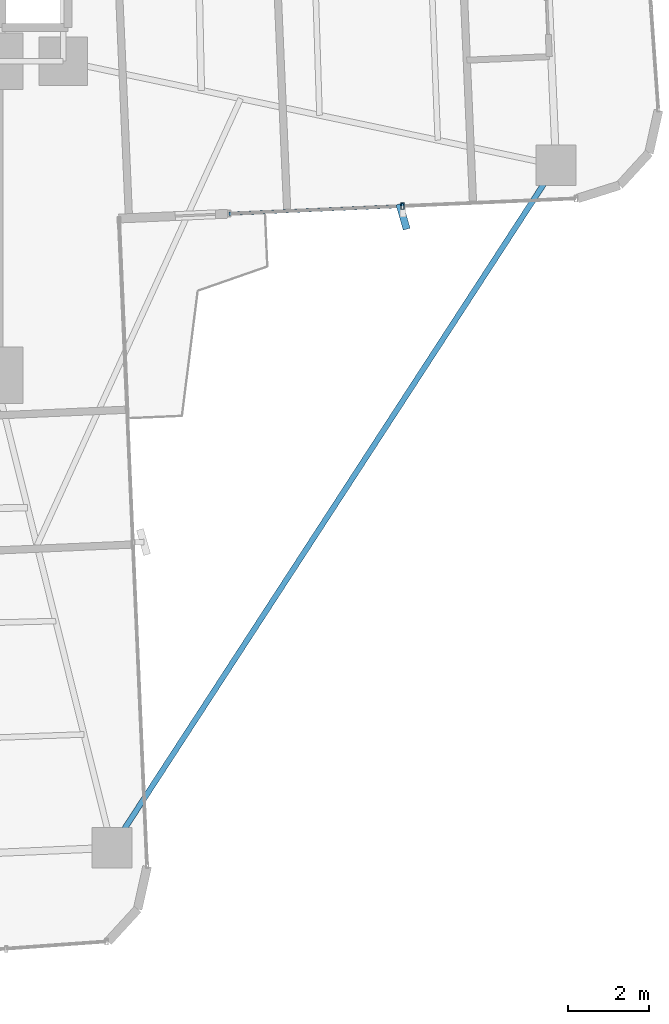
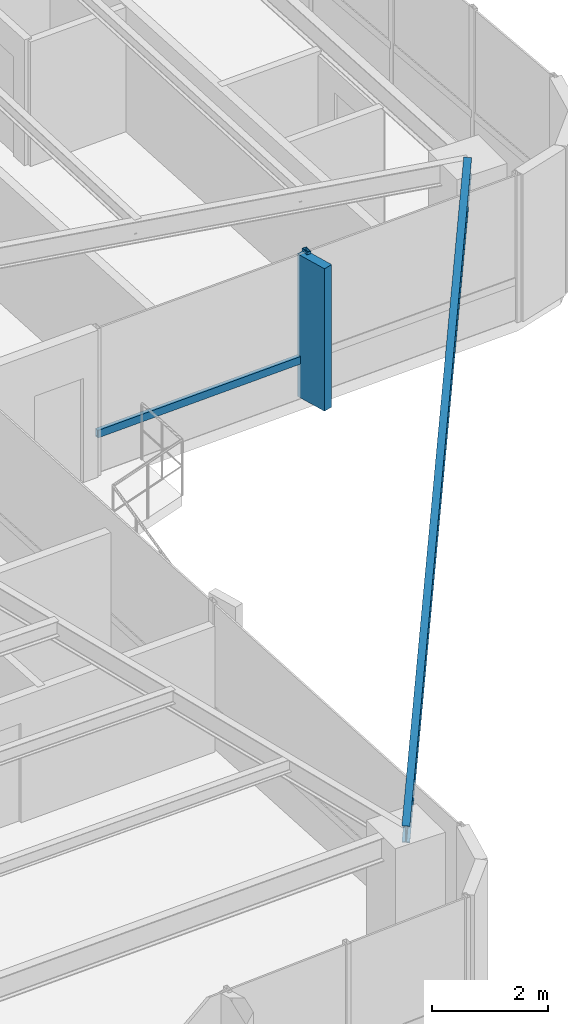
# One storey, part 14 of 26: 3 members, 1 beam, 1 element without a shape of its own.
"""IFC4 building model written with IfcOpenShell, lengths in metres."""

from ifc_helpers import new_model, si_unit, direction, frame, origin, origin_2d, place, context, subcontext, project, spatial, rectangle, hollow_rectangle, i_section, extrude, source, transform, mapped, material, material_profile, profile_set, type_object, element, aggregate, save


model = new_model("IFC4")

# Units and contexts
model_context = context("Model", 3, precision=1e-05, world=origin(), true_north=direction((0.0, 1.0)))
body_context = subcontext(model_context, "Body", "Model", "MODEL_VIEW")
ifc_project = project(units=[si_unit("LENGTHUNIT", "METRE"), si_unit("AREAUNIT", "SQUARE_METRE"), si_unit("VOLUMEUNIT", "CUBIC_METRE"), si_unit("PLANEANGLEUNIT", "RADIAN"), si_unit("MASSUNIT", "GRAM", prefix="KILO")], contexts=[model_context])

# Site, building, storey
site_placement = place(None, origin())
site = spatial("IfcSite", under=ifc_project, at=site_placement, CompositionType="ELEMENT")
building_placement = place(site_placement, origin())
building = spatial("IfcBuilding", under=site, at=building_placement, Name="Sahyath Konkavel Grand Hotel", CompositionType="ELEMENT")
storey_placement = place(building_placement, frame((0.0, 0.0, 93.550048828125)))
storey = spatial("IfcBuildingStorey", under=building, at=storey_placement, Name="L25", CompositionType="ELEMENT", Elevation=93.550048828125)

# Beam
ifc_material_1 = material(Name="Steel E350", Category="steel")
ifc_material_profile_1 = material_profile(ifc_material_1, i_section(OverallWidth=0.139892578125, OverallDepth=0.35009765625, WebThickness=0.008056640625, FlangeThickness=0.01416015625, FilletRadius=0.013916015625, at=origin_2d()), Name="ISMB 350")
ifc_profile_set_1 = profile_set([ifc_material_profile_1], Name="Steel E350")
beam_type = type_object("IfcBeamType", Name="BM-ISMB350", PredefinedType="BEAM", material=ifc_profile_set_1)
shared_shape_1 = source(origin(), body_context, "Body", "SweptSolid", [
    extrude(i_section(OverallWidth=0.139892578125, OverallDepth=0.35009765625, WebThickness=0.008056640625, FlangeThickness=0.01416015625, FilletRadius=0.013916015625, at=origin_2d()), origin(), (0.0, 0.0, 1.0), 20.21533203125),
])
beam_placement = place(storey_placement, frame((17.734130859375, -4.981201171875, 2.93505859375), z_axis=(-0.545191244931, -0.838311700056, 0.0), x_axis=(0.838311700056, -0.545191244931, 0.0)))
element("IfcBeam", 1, at=beam_placement, inside=storey, type_object=beam_type, Name="L25 Re-Entrant Tie Beam SE", PredefinedType="BEAM", context=body_context, shape_type="MappedRepresentation", body=[
    mapped(shared_shape_1, transform((0.0, 0.0, 0.0), scale=1.0)),
])

# Curtain wall, members
ifc_material_2 = material(Name="Anodised Bronze Aluminium & Low-E Glazing", Category="aluminium")
curtain_wall_type = type_object("IfcCurtainWallType", Name="CW-ZONE2", PredefinedType="NOTDEFINED", material=ifc_material_2)
curtain_wall_placement = place(storey_placement, origin())
curtain_wall = element("IfcCurtainWall", 2, at=curtain_wall_placement, inside=storey, type_object=curtain_wall_type, Name="L25 Unitised Curtain Wall F0", PredefinedType="NOTDEFINED")
ifc_material_3 = material(Name="Anodised Bronze Aluminium", Category="aluminium")
ifc_material_profile_2 = material_profile(ifc_material_3, hollow_rectangle(XDim=0.080078125, YDim=0.159912109375, WallThickness=0.006103515625, at=origin_2d()), Name="RHS 160x80x6")
ifc_profile_set_2 = profile_set([ifc_material_profile_2], Name="Anodised Bronze Aluminium")
member_type_1 = type_object("IfcMemberType", Name="CW-MUL-160", PredefinedType="MULLION", material=ifc_profile_set_2)
shared_shape_2 = source(origin(), body_context, "Body", "SweptSolid", [
    extrude(hollow_rectangle(XDim=0.080078125, YDim=0.159912109375, WallThickness=0.006103515625, at=origin_2d()), origin(), (0.0, 0.0, 1.0), 3.10986328125),
])
member_1_placement = place(storey_placement, frame((13.9248046875, -5.998291015625, 0.0), z_axis=(0.0, 0.0, 1.0), x_axis=(1.0, 0.0, 0.0)))
member_1 = element("IfcMember", 3, at=member_1_placement, type_object=member_type_1, Name="L25 Curtain Wall Mullion F0-1", PredefinedType="MULLION", context=body_context, shape_type="MappedRepresentation", body=[
    mapped(shared_shape_2, transform((0.0, 0.0, 0.0), scale=1.0)),
])
ifc_material_4 = material(Name="Warm Buff Sandstone Cladding on Concrete C50/60", Category="masonry")
ifc_material_profile_3 = material_profile(ifc_material_4, rectangle(XDim=0.179931640625, YDim=0.64990234375, at=origin_2d()), Name="FIN 180x650")
ifc_profile_set_3 = profile_set([ifc_material_profile_3], Name="Warm Buff Sandstone Cladding on Concrete C50/60")
member_type_2 = type_object("IfcMemberType", Name="FIN-SANDSTONE-650", PredefinedType="MULLION", material=ifc_profile_set_3)
shared_shape_3 = source(origin(), body_context, "Body", "SweptSolid", [
    extrude(rectangle(XDim=0.179931640625, YDim=0.64990234375, at=origin_2d()), origin(), (0.0, 0.0, 1.0), 3.010009765625),
])
member_2_placement = place(storey_placement, frame((13.936279296875, -6.258056640625, 0.050048828125), z_axis=(0.0, 0.0, 1.0), x_axis=(0.961069030524, 0.276308375854, 0.0)))
member_2 = element("IfcMember", 4, at=member_2_placement, type_object=member_type_2, Name="L25 Sandstone Vertical Solar Fin FIN F0-1", PredefinedType="MULLION", context=body_context, shape_type="MappedRepresentation", body=[
    mapped(shared_shape_3, transform((0.0, 0.0, 0.0), scale=1.0)),
])
ifc_material_profile_4 = material_profile(ifc_material_3, hollow_rectangle(XDim=0.080078125, YDim=0.159912109375, WallThickness=0.006103515625, at=origin_2d()), Name="RHS 160x80x6")
ifc_profile_set_4 = profile_set([ifc_material_profile_4], Name="Anodised Bronze Aluminium")
member_type_3 = type_object("IfcMemberType", Name="CW-TRN-160", PredefinedType="USERDEFINED", material=ifc_profile_set_4)
shared_shape_4 = source(origin(), body_context, "Body", "SweptSolid", [
    extrude(hollow_rectangle(XDim=0.080078125, YDim=0.159912109375, WallThickness=0.006103515625, at=origin_2d()), origin(), (0.0, 0.0, 1.0), 4.31005859375),
])
member_3_placement = place(storey_placement, frame((9.618896484375, -6.186279296875, 0.849853515625), z_axis=(0.999048340188, 0.043616670746, 0.0), x_axis=(-0.043616670746, 0.999048340188, 0.0)))
member_3 = element("IfcMember", 5, at=member_3_placement, type_object=member_type_3, Name="L25 Curtain Wall Transom F0-0-spandrel", ObjectType="TRANSOM", PredefinedType="USERDEFINED", context=body_context, shape_type="MappedRepresentation", body=[
    mapped(shared_shape_4, transform((0.0, 0.0, 0.0), scale=1.0)),
])
aggregate(curtain_wall, [member_1, member_2, member_3])

save(model, "model.ifc")
